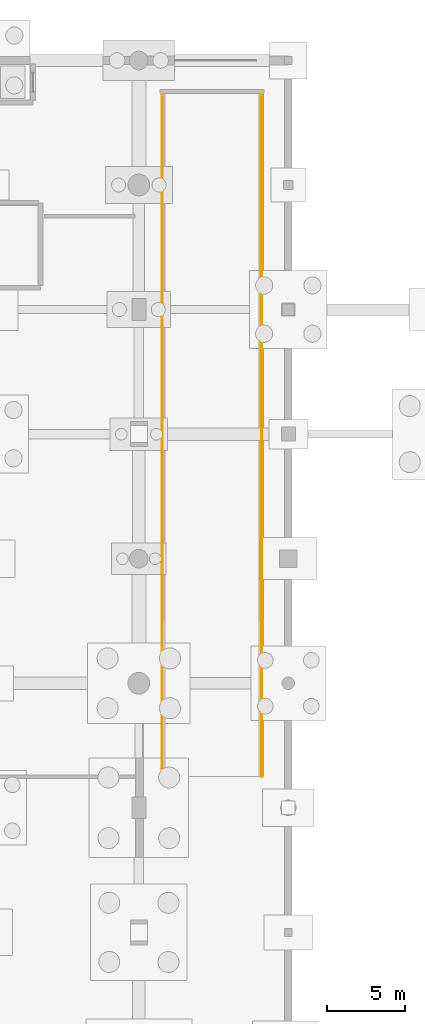
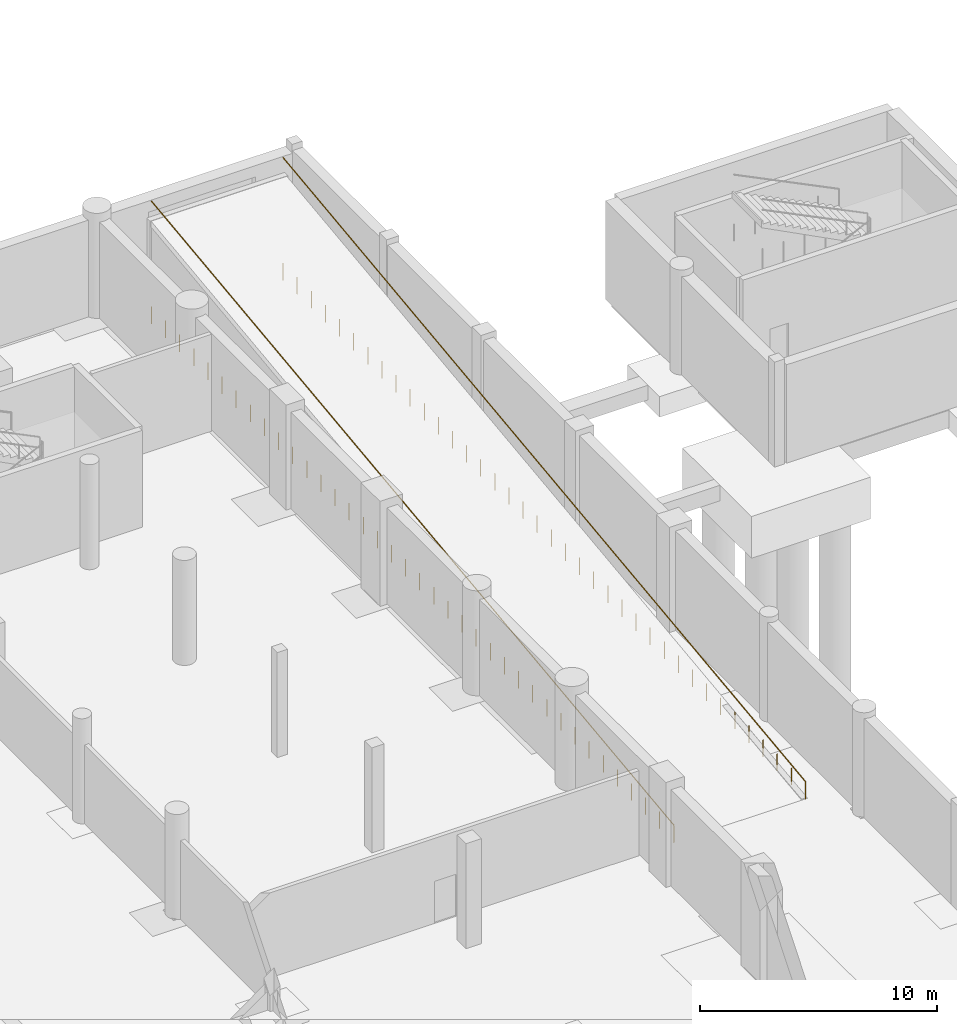
# One storey, part 37 of 44: 2 railings.
"""IFC4 building model written with IfcOpenShell, lengths in metres."""

from ifc_helpers import new_model, si_unit, direction, frame, origin, origin_2d, place, context, subcontext, project, spatial, circle, extrude, material, type_object, element, save


model = new_model("IFC4")

# Units and contexts
model_context = context("Model", 3, precision=1e-05, world=origin(), true_north=direction((0.0, 1.0)))
body_context = subcontext(model_context, "Body", "Model", "MODEL_VIEW")
ifc_project = project(units=[si_unit("LENGTHUNIT", "METRE"), si_unit("AREAUNIT", "SQUARE_METRE"), si_unit("VOLUMEUNIT", "CUBIC_METRE"), si_unit("PLANEANGLEUNIT", "RADIAN"), si_unit("MASSUNIT", "GRAM", prefix="KILO")], contexts=[model_context])

# Site, building, storey
site_placement = place(None, origin())
site = spatial("IfcSite", under=ifc_project, at=site_placement, CompositionType="ELEMENT")
building_placement = place(site_placement, origin())
building = spatial("IfcBuilding", under=site, at=building_placement, Name="Danafjord Basin Convention Centre", CompositionType="ELEMENT")
storey_placement = place(building_placement, frame((0.0, 0.0, -5.39990234375)))
storey = spatial("IfcBuildingStorey", under=building, at=storey_placement, Name="B1", CompositionType="ELEMENT", Elevation=-5.39990234375)

# Railings
ifc_material = material(Name="Brushed stainless steel EN 1.4404", Category="steel")
railing_type = type_object("IfcRailingType", Name="RL-HR-STAIR", PredefinedType="HANDRAIL", material=ifc_material)
railing_1_placement = place(storey_placement, frame((116.699951171875, 90.0, 0.0)))
element("IfcRailing", 1, at=railing_1_placement, inside=storey, type_object=railing_type, Name="Vehicle ramp W handrail", PredefinedType="HANDRAIL", context=body_context, shape_type="SweptSolid", body=[
    extrude(circle(Radius=0.02392578125, at=origin_2d()), frame((0.0, 0.0, 0.89599609375), z_axis=(0.0, 0.992553294434, 0.12181115593), x_axis=(-1.0, 0.0, 0.0)), (0.0, 0.0, 1.0), 44.330078125),
    extrude(circle(Radius=0.02099609375, at=origin_2d()), origin(), (0.0, 0.0, 1.0), 0.869873046875),
    extrude(circle(Radius=0.02099609375, at=origin_2d()), frame((0.0, 1.189208984375, 0.0)), (0.0, 0.0, 1.0), 0.869873046875),
    extrude(circle(Radius=0.02099609375, at=origin_2d()), frame((0.0, 2.37841796875, 0.0)), (0.0, 0.0, 1.0), 0.869873046875),
    extrude(circle(Radius=0.02099609375, at=origin_2d()), frame((0.0, 3.567626953125, 0.0)), (0.0, 0.0, 1.0), 0.869873046875),
    extrude(circle(Radius=0.02099609375, at=origin_2d()), frame((0.0, 4.7568359375, 0.0)), (0.0, 0.0, 1.0), 0.869873046875),
    extrude(circle(Radius=0.02099609375, at=origin_2d()), frame((0.0, 5.946044921875, 0.0)), (0.0, 0.0, 1.0), 0.869873046875),
    extrude(circle(Radius=0.02099609375, at=origin_2d()), frame((0.0, 7.13525390625, 0.0)), (0.0, 0.0, 1.0), 0.869873046875),
    extrude(circle(Radius=0.02099609375, at=origin_2d()), frame((0.0, 8.32421875, 0.0)), (0.0, 0.0, 1.0), 0.869873046875),
    extrude(circle(Radius=0.02099609375, at=origin_2d()), frame((0.0, 9.513427734375, 0.0)), (0.0, 0.0, 1.0), 0.869873046875),
    extrude(circle(Radius=0.02099609375, at=origin_2d()), frame((0.0, 10.70263671875, 0.0)), (0.0, 0.0, 1.0), 0.869873046875),
    extrude(circle(Radius=0.02099609375, at=origin_2d()), frame((0.0, 11.891845703125, 0.0)), (0.0, 0.0, 1.0), 0.869873046875),
    extrude(circle(Radius=0.02099609375, at=origin_2d()), frame((0.0, 13.0810546875, 0.0)), (0.0, 0.0, 1.0), 0.869873046875),
    extrude(circle(Radius=0.02099609375, at=origin_2d()), frame((0.0, 14.270263671875, 0.0)), (0.0, 0.0, 1.0), 0.869873046875),
    extrude(circle(Radius=0.02099609375, at=origin_2d()), frame((0.0, 15.45947265625, 0.0)), (0.0, 0.0, 1.0), 0.869873046875),
    extrude(circle(Radius=0.02099609375, at=origin_2d()), frame((0.0, 16.648681640625, 0.0)), (0.0, 0.0, 1.0), 0.869873046875),
    extrude(circle(Radius=0.02099609375, at=origin_2d()), frame((0.0, 17.837890625, 0.0)), (0.0, 0.0, 1.0), 0.869873046875),
    extrude(circle(Radius=0.02099609375, at=origin_2d()), frame((0.0, 19.027099609375, 0.0)), (0.0, 0.0, 1.0), 0.869873046875),
    extrude(circle(Radius=0.02099609375, at=origin_2d()), frame((0.0, 20.21630859375, 0.0)), (0.0, 0.0, 1.0), 0.869873046875),
    extrude(circle(Radius=0.02099609375, at=origin_2d()), frame((0.0, 21.405517578125, 0.0)), (0.0, 0.0, 1.0), 0.869873046875),
    extrude(circle(Radius=0.02099609375, at=origin_2d()), frame((0.0, 22.594482421875, 0.0)), (0.0, 0.0, 1.0), 0.869873046875),
    extrude(circle(Radius=0.02099609375, at=origin_2d()), frame((0.0, 23.78369140625, 0.0)), (0.0, 0.0, 1.0), 0.869873046875),
    extrude(circle(Radius=0.02099609375, at=origin_2d()), frame((0.0, 24.972900390625, 0.0)), (0.0, 0.0, 1.0), 0.869873046875),
    extrude(circle(Radius=0.02099609375, at=origin_2d()), frame((0.0, 26.162109375, 0.0)), (0.0, 0.0, 1.0), 0.869873046875),
    extrude(circle(Radius=0.02099609375, at=origin_2d()), frame((0.0, 27.351318359375, 0.0)), (0.0, 0.0, 1.0), 0.869873046875),
    extrude(circle(Radius=0.02099609375, at=origin_2d()), frame((0.0, 28.54052734375, 0.0)), (0.0, 0.0, 1.0), 0.869873046875),
    extrude(circle(Radius=0.02099609375, at=origin_2d()), frame((0.0, 29.729736328125, 0.0)), (0.0, 0.0, 1.0), 0.869873046875),
    extrude(circle(Radius=0.02099609375, at=origin_2d()), frame((0.0, 30.9189453125, 0.0)), (0.0, 0.0, 1.0), 0.869873046875),
    extrude(circle(Radius=0.02099609375, at=origin_2d()), frame((0.0, 32.108154296875, 0.0)), (0.0, 0.0, 1.0), 0.869873046875),
    extrude(circle(Radius=0.02099609375, at=origin_2d()), frame((0.0, 33.29736328125, 0.0)), (0.0, 0.0, 1.0), 0.869873046875),
    extrude(circle(Radius=0.02099609375, at=origin_2d()), frame((0.0, 34.486572265625, 0.0)), (0.0, 0.0, 1.0), 0.869873046875),
    extrude(circle(Radius=0.02099609375, at=origin_2d()), frame((0.0, 35.67578125, 0.0)), (0.0, 0.0, 1.0), 0.869873046875),
    extrude(circle(Radius=0.02099609375, at=origin_2d()), frame((0.0, 36.86474609375, 0.0)), (0.0, 0.0, 1.0), 0.869873046875),
    extrude(circle(Radius=0.02099609375, at=origin_2d()), frame((0.0, 38.053955078125, 0.0)), (0.0, 0.0, 1.0), 0.869873046875),
    extrude(circle(Radius=0.02099609375, at=origin_2d()), frame((0.0, 39.2431640625, 0.0)), (0.0, 0.0, 1.0), 0.869873046875),
    extrude(circle(Radius=0.02099609375, at=origin_2d()), frame((0.0, 40.432373046875, 0.0)), (0.0, 0.0, 1.0), 0.869873046875),
    extrude(circle(Radius=0.02099609375, at=origin_2d()), frame((0.0, 41.62158203125, 0.0)), (0.0, 0.0, 1.0), 0.869873046875),
    extrude(circle(Radius=0.02099609375, at=origin_2d()), frame((0.0, 42.810791015625, 0.0)), (0.0, 0.0, 1.0), 0.869873046875),
    extrude(circle(Radius=0.02099609375, at=origin_2d()), frame((0.0, 44.0, 0.0)), (0.0, 0.0, 1.0), 0.869873046875),
])
railing_2_placement = place(storey_placement, frame((123.10009765625, 90.0, 0.0)))
element("IfcRailing", 2, at=railing_2_placement, inside=storey, type_object=railing_type, Name="Vehicle ramp E handrail", PredefinedType="HANDRAIL", context=body_context, shape_type="SweptSolid", body=[
    extrude(circle(Radius=0.02392578125, at=origin_2d()), frame((0.0, 0.0, 0.89599609375), z_axis=(0.0, 0.992553294434, 0.12181115593), x_axis=(-1.0, 0.0, 0.0)), (0.0, 0.0, 1.0), 44.330078125),
    extrude(circle(Radius=0.02099609375, at=origin_2d()), origin(), (0.0, 0.0, 1.0), 0.869873046875),
    extrude(circle(Radius=0.02099609375, at=origin_2d()), frame((0.0, 1.189208984375, 0.0)), (0.0, 0.0, 1.0), 0.869873046875),
    extrude(circle(Radius=0.02099609375, at=origin_2d()), frame((0.0, 2.37841796875, 0.0)), (0.0, 0.0, 1.0), 0.869873046875),
    extrude(circle(Radius=0.02099609375, at=origin_2d()), frame((0.0, 3.567626953125, 0.0)), (0.0, 0.0, 1.0), 0.869873046875),
    extrude(circle(Radius=0.02099609375, at=origin_2d()), frame((0.0, 4.7568359375, 0.0)), (0.0, 0.0, 1.0), 0.869873046875),
    extrude(circle(Radius=0.02099609375, at=origin_2d()), frame((0.0, 5.946044921875, 0.0)), (0.0, 0.0, 1.0), 0.869873046875),
    extrude(circle(Radius=0.02099609375, at=origin_2d()), frame((0.0, 7.13525390625, 0.0)), (0.0, 0.0, 1.0), 0.869873046875),
    extrude(circle(Radius=0.02099609375, at=origin_2d()), frame((0.0, 8.32421875, 0.0)), (0.0, 0.0, 1.0), 0.869873046875),
    extrude(circle(Radius=0.02099609375, at=origin_2d()), frame((0.0, 9.513427734375, 0.0)), (0.0, 0.0, 1.0), 0.869873046875),
    extrude(circle(Radius=0.02099609375, at=origin_2d()), frame((0.0, 10.70263671875, 0.0)), (0.0, 0.0, 1.0), 0.869873046875),
    extrude(circle(Radius=0.02099609375, at=origin_2d()), frame((0.0, 11.891845703125, 0.0)), (0.0, 0.0, 1.0), 0.869873046875),
    extrude(circle(Radius=0.02099609375, at=origin_2d()), frame((0.0, 13.0810546875, 0.0)), (0.0, 0.0, 1.0), 0.869873046875),
    extrude(circle(Radius=0.02099609375, at=origin_2d()), frame((0.0, 14.270263671875, 0.0)), (0.0, 0.0, 1.0), 0.869873046875),
    extrude(circle(Radius=0.02099609375, at=origin_2d()), frame((0.0, 15.45947265625, 0.0)), (0.0, 0.0, 1.0), 0.869873046875),
    extrude(circle(Radius=0.02099609375, at=origin_2d()), frame((0.0, 16.648681640625, 0.0)), (0.0, 0.0, 1.0), 0.869873046875),
    extrude(circle(Radius=0.02099609375, at=origin_2d()), frame((0.0, 17.837890625, 0.0)), (0.0, 0.0, 1.0), 0.869873046875),
    extrude(circle(Radius=0.02099609375, at=origin_2d()), frame((0.0, 19.027099609375, 0.0)), (0.0, 0.0, 1.0), 0.869873046875),
    extrude(circle(Radius=0.02099609375, at=origin_2d()), frame((0.0, 20.21630859375, 0.0)), (0.0, 0.0, 1.0), 0.869873046875),
    extrude(circle(Radius=0.02099609375, at=origin_2d()), frame((0.0, 21.405517578125, 0.0)), (0.0, 0.0, 1.0), 0.869873046875),
    extrude(circle(Radius=0.02099609375, at=origin_2d()), frame((0.0, 22.594482421875, 0.0)), (0.0, 0.0, 1.0), 0.869873046875),
    extrude(circle(Radius=0.02099609375, at=origin_2d()), frame((0.0, 23.78369140625, 0.0)), (0.0, 0.0, 1.0), 0.869873046875),
    extrude(circle(Radius=0.02099609375, at=origin_2d()), frame((0.0, 24.972900390625, 0.0)), (0.0, 0.0, 1.0), 0.869873046875),
    extrude(circle(Radius=0.02099609375, at=origin_2d()), frame((0.0, 26.162109375, 0.0)), (0.0, 0.0, 1.0), 0.869873046875),
    extrude(circle(Radius=0.02099609375, at=origin_2d()), frame((0.0, 27.351318359375, 0.0)), (0.0, 0.0, 1.0), 0.869873046875),
    extrude(circle(Radius=0.02099609375, at=origin_2d()), frame((0.0, 28.54052734375, 0.0)), (0.0, 0.0, 1.0), 0.869873046875),
    extrude(circle(Radius=0.02099609375, at=origin_2d()), frame((0.0, 29.729736328125, 0.0)), (0.0, 0.0, 1.0), 0.869873046875),
    extrude(circle(Radius=0.02099609375, at=origin_2d()), frame((0.0, 30.9189453125, 0.0)), (0.0, 0.0, 1.0), 0.869873046875),
    extrude(circle(Radius=0.02099609375, at=origin_2d()), frame((0.0, 32.108154296875, 0.0)), (0.0, 0.0, 1.0), 0.869873046875),
    extrude(circle(Radius=0.02099609375, at=origin_2d()), frame((0.0, 33.29736328125, 0.0)), (0.0, 0.0, 1.0), 0.869873046875),
    extrude(circle(Radius=0.02099609375, at=origin_2d()), frame((0.0, 34.486572265625, 0.0)), (0.0, 0.0, 1.0), 0.869873046875),
    extrude(circle(Radius=0.02099609375, at=origin_2d()), frame((0.0, 35.67578125, 0.0)), (0.0, 0.0, 1.0), 0.869873046875),
    extrude(circle(Radius=0.02099609375, at=origin_2d()), frame((0.0, 36.86474609375, 0.0)), (0.0, 0.0, 1.0), 0.869873046875),
    extrude(circle(Radius=0.02099609375, at=origin_2d()), frame((0.0, 38.053955078125, 0.0)), (0.0, 0.0, 1.0), 0.869873046875),
    extrude(circle(Radius=0.02099609375, at=origin_2d()), frame((0.0, 39.2431640625, 0.0)), (0.0, 0.0, 1.0), 0.869873046875),
    extrude(circle(Radius=0.02099609375, at=origin_2d()), frame((0.0, 40.432373046875, 0.0)), (0.0, 0.0, 1.0), 0.869873046875),
    extrude(circle(Radius=0.02099609375, at=origin_2d()), frame((0.0, 41.62158203125, 0.0)), (0.0, 0.0, 1.0), 0.869873046875),
    extrude(circle(Radius=0.02099609375, at=origin_2d()), frame((0.0, 42.810791015625, 0.0)), (0.0, 0.0, 1.0), 0.869873046875),
    extrude(circle(Radius=0.02099609375, at=origin_2d()), frame((0.0, 44.0, 0.0)), (0.0, 0.0, 1.0), 0.869873046875),
])

save(model, "model.ifc")
